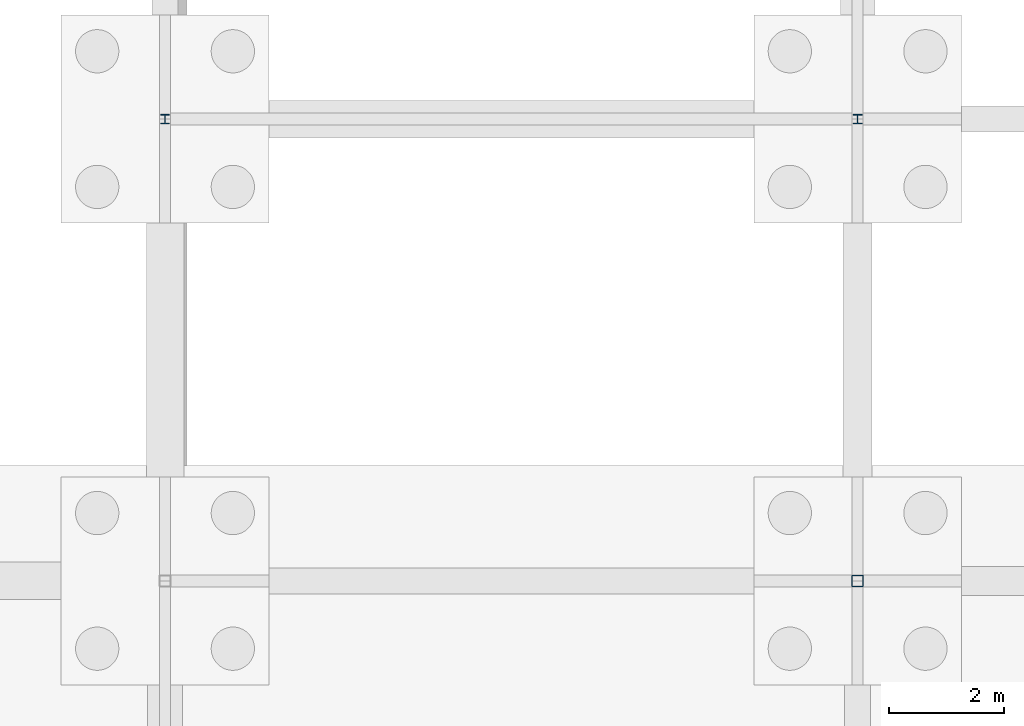
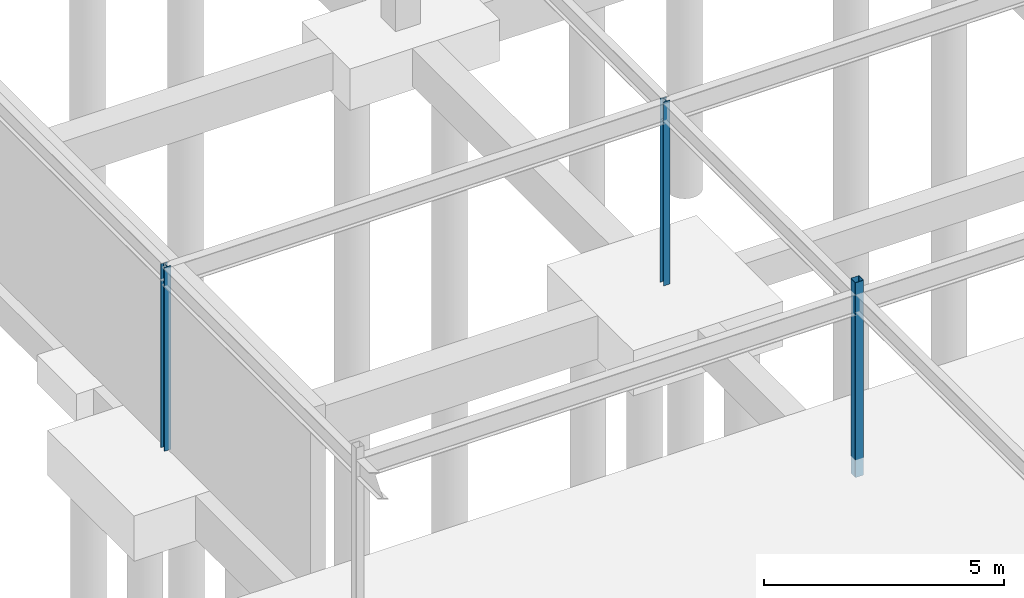
# One storey, part 45 of 75: 3 columns.
"""IFC4 building model written with IfcOpenShell, lengths in metres."""

from ifc_helpers import new_model, si_unit, derived_unit, direction, frame, origin, origin_2d_with_axis, place, context, subcontext, project, spatial, hollow_rectangle, i_section, extrude, material, material_profile, profile_set, type_object, element, save


model = new_model("IFC4")

# Units and contexts
model_context = context("Model", 3, precision=1e-05, world=origin(), true_north=direction((0.0, 1.0)))
body_context = subcontext(model_context, "Body", "Model", "MODEL_VIEW")
ifc_project = project(units=[si_unit("LENGTHUNIT", "METRE"), si_unit("AREAUNIT", "SQUARE_METRE"), si_unit("VOLUMEUNIT", "CUBIC_METRE"), si_unit("PLANEANGLEUNIT", "RADIAN"), si_unit("MASSUNIT", "GRAM", prefix="KILO"), derived_unit("THERMALTRANSMITTANCEUNIT", [(si_unit("POWERUNIT", "WATT"), 1), (si_unit("LENGTHUNIT", "METRE"), -2), (si_unit("THERMODYNAMICTEMPERATUREUNIT", "KELVIN"), -1)])], contexts=[model_context])

# Site, building, storey
site_placement = place(None, origin())
site = spatial("IfcSite", under=ifc_project, at=site_placement, CompositionType="ELEMENT")
building_placement = place(site_placement, origin())
building = spatial("IfcBuilding", under=site, at=building_placement, Name="Cinnabar Yard Market Hall", CompositionType="ELEMENT")
storey_placement = place(building_placement, frame((0.0, 0.0, -4.5)))
storey = spatial("IfcBuildingStorey", under=building, at=storey_placement, Name="B1", CompositionType="ELEMENT", Elevation=-4.5)

# Columns
ifc_material_1 = material(Name="Steel Grade 300 (300 MPa)", Category="steel")
ifc_material_profile_1 = material_profile(ifc_material_1, i_section(OverallWidth=0.154296875, OverallDepth=0.161865234375, WebThickness=0.008056640625, FlangeThickness=0.011474609375, FilletRadius=0.0087890625, at=origin_2d_with_axis()), Name="150UC37.2")
ifc_profile_set_1 = profile_set([ifc_material_profile_1], Name="Steel Grade 300 (300 MPa)")
column_type_1 = type_object("IfcColumnType", Name="COL-C14", PredefinedType="COLUMN", material=ifc_profile_set_1)
for number, where, z_axis, x_axis, name in (
    (1, (178.0, 42.0, -0.449951171875), (0.0, 0.0, 1.0), (1.0, 0.0, 0.0), "Dock Column V4-01-04 B1"),
    (2, (190.0, 42.0, -0.449951171875), (0.0, 0.0, 1.0), (1.0, 0.0, 0.0), "Dock Column V4-02-04 B1"),
):
    element("IfcColumn", number, at=place(storey_placement, frame(where, z_axis=z_axis, x_axis=x_axis)), inside=storey, type_object=column_type_1, Name=name, PredefinedType="COLUMN", context=body_context, shape_type="SweptSolid", body=[
        extrude(i_section(OverallWidth=0.154296875, OverallDepth=0.161865234375, WebThickness=0.008056640625, FlangeThickness=0.011474609375, FilletRadius=0.0087890625, at=origin_2d_with_axis()), origin(), (0.0, 0.0, 1.0), 4.669921875),
    ])
ifc_material_2 = material(Name="Cold-formed steel C350L0", Category="steel")
ifc_material_profile_2 = material_profile(ifc_material_2, hollow_rectangle(XDim=0.199951171875, YDim=0.199951171875, WallThickness=0.008056640625, InnerFilletRadius=0.008056640625, OuterFilletRadius=0.01611328125, at=origin_2d_with_axis()), Name="200x200x8.0SHS")
ifc_profile_set_2 = profile_set([ifc_material_profile_2], Name="Cold-formed steel C350L0")
column_type_2 = type_object("IfcColumnType", Name="COL-C15", PredefinedType="COLUMN", material=ifc_profile_set_2)
column_placement = place(storey_placement, frame((190.0, 34.0, -0.449951171875), z_axis=(0.0, 0.0, 1.0), x_axis=(1.0, 0.0, 0.0)))
element("IfcColumn", 3, at=column_placement, inside=storey, type_object=column_type_2, Name="Dock Column V4-02-03 B1", PredefinedType="COLUMN", context=body_context, shape_type="SweptSolid", body=[
    extrude(hollow_rectangle(XDim=0.199951171875, YDim=0.199951171875, WallThickness=0.008056640625, InnerFilletRadius=0.008056640625, OuterFilletRadius=0.01611328125, at=origin_2d_with_axis()), origin(), (0.0, 0.0, 1.0), 4.949951171875),
])

save(model, "model.ifc")
